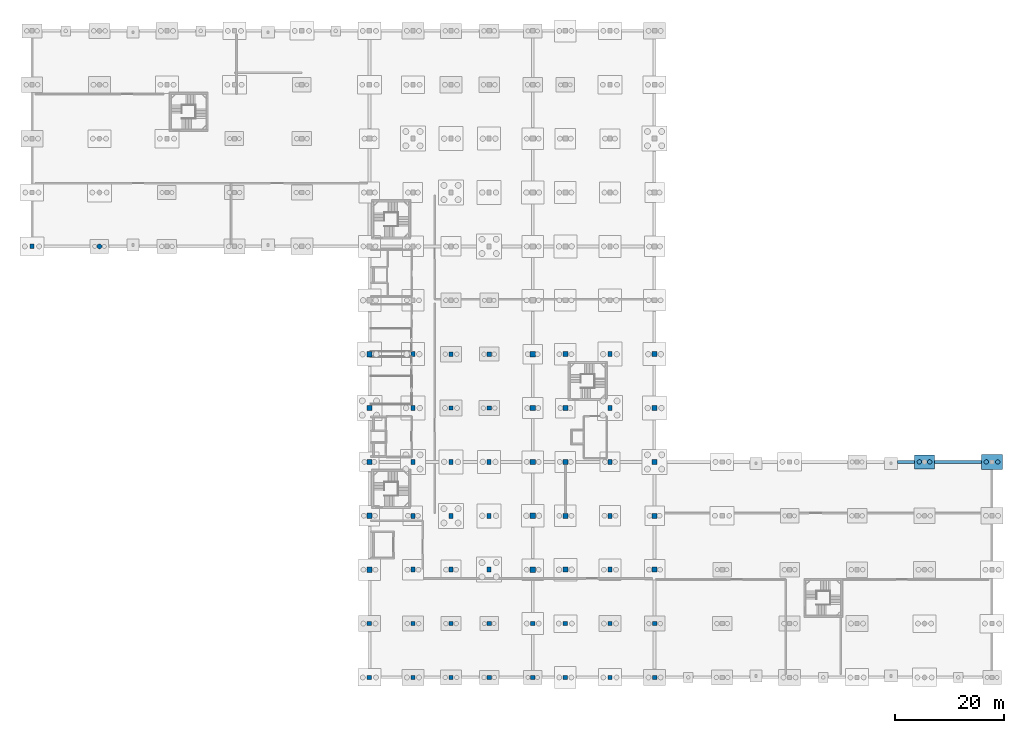
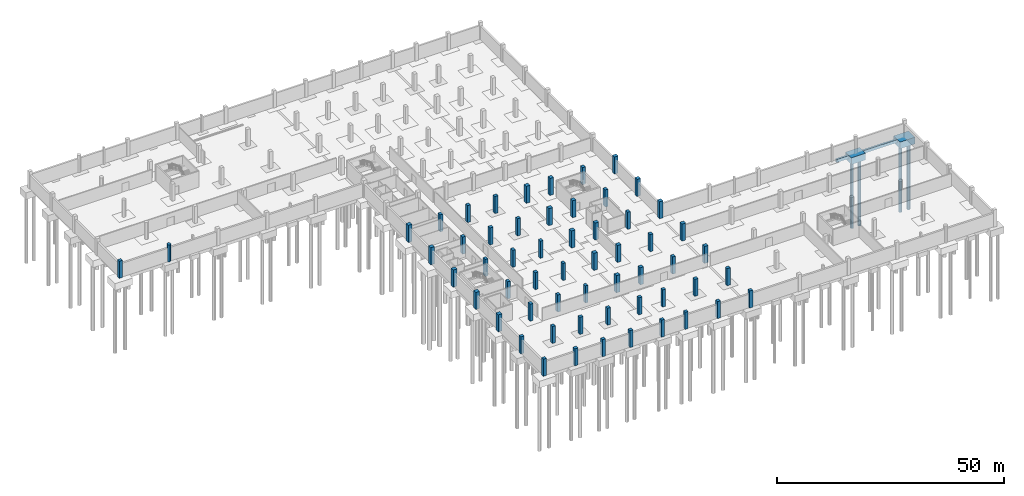
# One storey, part 6 of 30: 58 columns, 4 footings, 4 piles.
"""IFC4 building model written with IfcOpenShell, lengths in metres."""

import ifcopenshell
import ifcopenshell.guid

model = None  # the IFC model being written
_history = None  # IfcOwnerHistory: only IFC2X3 demands one
_inside = {}  # id of a spatial element -> (the spatial element, [elements in it])
_under = {}  # id of a project, library or spatial element -> (it, [spatial elements below it])
_declared = {}  # id of a project -> (the project, [libraries it declares])
_typed = {}  # id of a type object -> (the type object, [elements of that type])
_made_of = {}  # id of a material, layer set ... -> (it, [elements and type objects made of it])


def new_model(schema):
    """Start an empty IFC model of exactly this schema.

    Asked for "IFC4X3", IfcOpenShell would pick the latest addendum, in which some entities
    have other attributes; the version numbers below select the first issue.
    IFC2X3 requires an IfcOwnerHistory on every rooted entity: one is made here for all.
    """
    global model, _history
    if schema == "IFC4X3":
        model = ifcopenshell.file(schema_version=(4, 3, 0, 0))
    else:
        model = ifcopenshell.file(schema=schema)
    _inside.clear()
    _under.clear()
    _declared.clear()
    _typed.clear()
    _made_of.clear()
    _history = None
    if model.schema == "IFC2X3":
        org = make("IfcOrganization", Name="unknown")
        user = make(
            "IfcPersonAndOrganization",
            ThePerson=make("IfcPerson", FamilyName="unknown"),
            TheOrganization=org,
        )
        app = make(
            "IfcApplication",
            ApplicationDeveloper=org,
            Version="unknown",
            ApplicationFullName="unknown",
            ApplicationIdentifier="unknown",
        )
        _history = make(
            "IfcOwnerHistory",
            OwningUser=user,
            OwningApplication=app,
            ChangeAction="ADDED",
            CreationDate=0,
        )
    return model


def make(cls, **values):
    """One entity of the class cls with the attributes given. An attribute that is None is left unset."""
    return model.create_entity(
        cls, **{name: value for name, value in values.items() if value is not None}
    )


def rooted(cls, **values):
    """An entity with a GlobalId (a new one), such as an element, a storey or a relation."""
    return make(cls, GlobalId=ifcopenshell.guid.new(), OwnerHistory=_history, **values)


def si_unit(unit_type, name, prefix=None):
    """IfcSIUnit, for example si_unit("LENGTHUNIT", "METRE", prefix="MILLI")."""
    return make("IfcSIUnit", UnitType=unit_type, Prefix=prefix, Name=name)


def assignment(units):
    """IfcUnitAssignment: the units of a project."""
    return None if units is None else make("IfcUnitAssignment", Units=units)


def point(xyz):
    """IfcCartesianPoint."""
    return None if xyz is None else make("IfcCartesianPoint", Coordinates=xyz)


def direction(xyz):
    """IfcDirection."""
    return None if xyz is None else make("IfcDirection", DirectionRatios=xyz)


def frame(location, z_axis=None, x_axis=None):
    """IfcAxis2Placement3D, a coordinate frame: its origin and axes. An axis left out is left unset."""
    return make(
        "IfcAxis2Placement3D",
        Location=point(location),
        Axis=direction(z_axis),
        RefDirection=direction(x_axis),
    )


def frame_2d(location, x_axis=None):
    """IfcAxis2Placement2D, a coordinate frame in the plane: its origin and x axis."""
    return make(
        "IfcAxis2Placement2D", Location=point(location), RefDirection=direction(x_axis)
    )


def origin():
    """The frame at (0, 0, 0) with its axes left unset."""
    return frame((0.0, 0.0, 0.0))


def origin_2d():
    """The frame at (0, 0) in the plane with its x axis left unset."""
    return frame_2d((0.0, 0.0))


def place(relative_to, where):
    """IfcLocalPlacement: puts the frame where relative to a parent placement (None: the world)."""
    return make(
        "IfcLocalPlacement", PlacementRelTo=relative_to, RelativePlacement=where
    )


def context(
    kind, dimensions, precision=None, world=None, true_north=None, identifier=None
):
    """IfcGeometricRepresentationContext, for example the 3D "Model" context."""
    return make(
        "IfcGeometricRepresentationContext",
        ContextIdentifier=identifier,
        ContextType=kind,
        CoordinateSpaceDimension=dimensions,
        Precision=precision,
        WorldCoordinateSystem=world,
        TrueNorth=true_north,
    )


def subcontext(parent, identifier, kind, view, scale=None):
    """IfcGeometricRepresentationSubContext, for example "Body" below "Model"."""
    return make(
        "IfcGeometricRepresentationSubContext",
        ContextIdentifier=identifier,
        ContextType=kind,
        ParentContext=parent,
        TargetScale=scale,
        TargetView=view,
    )


def project(units=None, contexts=None):
    """IfcProject with its units and contexts."""
    return rooted(
        "IfcProject",
        Name="project",
        RepresentationContexts=contexts,
        UnitsInContext=assignment(units),
    )


def spatial(cls, under=None, at=None, **own):
    """A site, building, storey or space (cls), placed at a placement, below another one or the project."""
    s = rooted(cls, ObjectPlacement=at, **own)
    if under is not None:
        _under.setdefault(under.id(), (under, []))[1].append(s)
    return s


def profile(cls, at=None, kind="AREA", **sizes):
    """A parametric profile (cls). Its sizes go by their IFC names, for example OverallWidth=200.0."""
    return make(cls, ProfileType=kind, Position=at, **sizes)


def rectangle(**sizes):
    """IfcRectangleProfileDef."""
    return profile("IfcRectangleProfileDef", **sizes)


def circle(**sizes):
    """IfcCircleProfileDef."""
    return profile("IfcCircleProfileDef", **sizes)


def extrude(swept, where, along, depth):
    """IfcExtrudedAreaSolid: the profile swept, set in the frame where, extruded along a direction by depth."""
    return make(
        "IfcExtrudedAreaSolid",
        SweptArea=swept,
        Position=where,
        ExtrudedDirection=direction(along),
        Depth=depth,
    )


def shape(context_of_items, identifier, shape_type, items):
    """IfcShapeRepresentation: the items that make up one representation, for example the "Body"."""
    return make(
        "IfcShapeRepresentation",
        ContextOfItems=context_of_items,
        RepresentationIdentifier=identifier,
        RepresentationType=shape_type,
        Items=items,
    )


def material(Name=None, Category=None):
    """IfcMaterial."""
    return make("IfcMaterial", Name=Name, Category=Category)


def layer(
    of_material, thickness, ventilated=None, Name=None, Category=None, Priority=None
):
    """IfcMaterialLayer: one layer of a wall or slab, of a material (None: an air gap)."""
    return make(
        "IfcMaterialLayer",
        Material=of_material,
        LayerThickness=thickness,
        IsVentilated=ventilated,
        Name=Name,
        Category=Category,
        Priority=Priority,
    )


def layer_set(layers, Name=None):
    """IfcMaterialLayerSet."""
    return make("IfcMaterialLayerSet", MaterialLayers=layers, LayerSetName=Name)


def material_profile(
    of_material, cross_section, Name=None, Category=None, Priority=None
):
    """IfcMaterialProfile: a cross section and its material."""
    return make(
        "IfcMaterialProfile",
        Name=Name,
        Material=of_material,
        Profile=cross_section,
        Priority=Priority,
        Category=Category,
    )


def profile_set(profiles, Name=None, composite=None):
    """IfcMaterialProfileSet."""
    return make(
        "IfcMaterialProfileSet",
        Name=Name,
        MaterialProfiles=profiles,
        CompositeProfile=composite,
    )


def made_of(thing, what):
    """Note that an element or type object is made of a material, layer set ...; save() writes the relation."""
    if what is not None:
        _made_of.setdefault(what.id(), (what, []))[1].append(thing)
    return thing


def type_object(cls, material=None, **own):
    """A type object (cls), such as IfcWallType, which elements share."""
    return made_of(rooted(cls, **own), material)


def element(
    cls,
    number,
    at=None,
    inside=None,
    cuts=None,
    type_object=None,
    material=None,
    context=None,
    identifier="Body",
    shape_type=None,
    held_by="IfcProductDefinitionShape",
    body=None,
    shapes=None,
    **own,
):
    """One element of the class cls, such as IfcWall. Its Tag is "e" and its number.

    at: its placement. inside: the storey or other place that contains it. cuts: it is an
    opening in that element (IfcRelVoidsElement). A single representation is given by context,
    identifier, shape_type and body (its items); several are given by shapes. held_by: the class
    of the entity that holds the representations. save() writes the other relations.
    """
    e = rooted(cls, Tag="e%d" % number, ObjectPlacement=at, **own)
    if body is not None:
        shapes = [shape(context, identifier, shape_type, body)]
    if shapes is not None:
        e.Representation = make(held_by, Representations=shapes)
    if inside is not None:
        _inside.setdefault(inside.id(), (inside, []))[1].append(e)
    if cuts is not None:
        rooted(
            "IfcRelVoidsElement", RelatingBuildingElement=cuts, RelatedOpeningElement=e
        )
    if type_object is not None:
        _typed.setdefault(type_object.id(), (type_object, []))[1].append(e)
    return made_of(e, material)


def aggregate(whole, parts):
    """IfcRelAggregates: a whole, such as a stair, and the parts it consists of."""
    return rooted("IfcRelAggregates", RelatingObject=whole, RelatedObjects=parts)


def save(model, path):
    """Write the relations noted so far, then the file.

    IfcRelAggregates (storeys below a building ...), IfcRelContainedInSpatialStructure (elements
    in a storey), IfcRelDefinesByType, IfcRelAssociatesMaterial and IfcRelDeclares: one each for
    every whole, place, type object, material and project.
    """
    for whole, parts in _under.values():
        aggregate(whole, parts)
    for where, things in _inside.values():
        rooted(
            "IfcRelContainedInSpatialStructure",
            RelatedElements=things,
            RelatingStructure=where,
        )
    for kind, things in _typed.values():
        rooted("IfcRelDefinesByType", RelatedObjects=things, RelatingType=kind)
    for what, things in _made_of.values():
        rooted("IfcRelAssociatesMaterial", RelatedObjects=things, RelatingMaterial=what)
    for by, libraries in _declared.values():
        rooted("IfcRelDeclares", RelatingContext=by, RelatedDefinitions=libraries)
    model.write(path)


model = new_model("IFC4")

# Units and contexts
model_context = context("Model", 3, precision=1e-05, world=origin(), true_north=direction((0.0, 1.0)))
body_context = subcontext(model_context, "Body", "Model", "MODEL_VIEW")
ifc_project = project(units=[si_unit("LENGTHUNIT", "METRE"), si_unit("AREAUNIT", "SQUARE_METRE"), si_unit("VOLUMEUNIT", "CUBIC_METRE"), si_unit("PLANEANGLEUNIT", "RADIAN"), si_unit("MASSUNIT", "GRAM", prefix="KILO")], contexts=[model_context])

# Site, building, storey
site_placement = place(None, origin())
site = spatial("IfcSite", under=ifc_project, at=site_placement, CompositionType="ELEMENT")
building_placement = place(site_placement, origin())
building = spatial("IfcBuilding", under=site, at=building_placement, Name="Sillaruma Civic Art Gallery", CompositionType="ELEMENT")
storey_placement = place(building_placement, frame((0.0, 0.0, -9.179931640625)))
storey = spatial("IfcBuildingStorey", under=building, at=storey_placement, Name="B02", CompositionType="ELEMENT", Elevation=-9.179931640625)

# Footings
ifc_material_1 = material(Name="Concrete H35 (35 MPa)", Category="concrete")
ifc_material_profile_1 = material_profile(ifc_material_1, rectangle(XDim=0.5, YDim=0.800048828125, at=origin_2d()), Name="RCB500x800")
ifc_profile_set_1 = profile_set([ifc_material_profile_1], Name="Concrete H35 (35 MPa)")
footing_type_1 = type_object("IfcFootingType", Name="FTG-FB-500x800", PredefinedType="FOOTING_BEAM", material=ifc_profile_set_1)
footing_1_placement = place(storey_placement, frame((159.02001953125, 39.60009765625, -0.400146484375), z_axis=(1.0, 0.0, 0.0), x_axis=(0.0, 1.0, 0.0)))
element("IfcFooting", 1, at=footing_1_placement, inside=storey, type_object=footing_type_1, Name="Foundation Tie Beam FB-01 (5:R-S:B)", PredefinedType="FOOTING_BEAM", context=body_context, shape_type="SweptSolid", body=[
    extrude(rectangle(XDim=0.5, YDim=0.800048828125, at=origin_2d()), origin(), (0.0, 0.0, 1.0), 3.159912109375),
])
footing_2_placement = place(storey_placement, frame((165.820068359375, 39.60009765625, -0.400146484375), z_axis=(1.0, 0.0, 0.0), x_axis=(0.0, 1.0, 0.0)))
element("IfcFooting", 2, at=footing_2_placement, inside=storey, type_object=footing_type_1, Name="Foundation Tie Beam FB-01 (5:S-T:1)", PredefinedType="FOOTING_BEAM", context=body_context, shape_type="SweptSolid", body=[
    extrude(rectangle(XDim=0.5, YDim=0.800048828125, at=origin_2d()), origin(), (0.0, 0.0, 1.0), 8.659912109375),
])
ifc_layer_1 = layer(ifc_material_1, 1.800048828125, Name="Concrete H35 (35 MPa)")
ifc_layer_set_1 = layer_set([ifc_layer_1], Name="Concrete H35 (35 MPa)")
footing_type_2 = type_object("IfcFootingType", Name="FTG-PC-36x26", PredefinedType="PILE_CAP", material=ifc_layer_set_1)
footing_3_placement = place(storey_placement, frame((164.0, 39.60009765625, -1.80029296875), z_axis=(0.0, 0.0, 1.0), x_axis=(1.0, 0.0, 0.0)))
element("IfcFooting", 3, at=footing_3_placement, inside=storey, type_object=footing_type_2, Name="Pile Cap PC-11 (S5)", PredefinedType="PILE_CAP", context=body_context, shape_type="SweptSolid", body=[
    extrude(rectangle(XDim=3.60009765625, YDim=2.60009765625, at=origin_2d()), origin(), (0.0, 0.0, 1.0), 1.800048828125),
])
ifc_layer_2 = layer(ifc_material_1, 1.800048828125, Name="Concrete H35 (35 MPa)")
ifc_layer_set_2 = layer_set([ifc_layer_2], Name="Concrete H35 (35 MPa)")
footing_type_3 = type_object("IfcFootingType", Name="FTG-PC-38x28", PredefinedType="PILE_CAP", material=ifc_layer_set_2)
footing_4_placement = place(storey_placement, frame((176.39990234375, 39.60009765625, -1.80029296875), z_axis=(0.0, 0.0, 1.0), x_axis=(1.0, 0.0, 0.0)))
element("IfcFooting", 4, at=footing_4_placement, inside=storey, type_object=footing_type_3, Name="Pile Cap PC-10 (T5)", PredefinedType="PILE_CAP", context=body_context, shape_type="SweptSolid", body=[
    extrude(rectangle(XDim=3.800048828125, YDim=2.800048828125, at=origin_2d()), origin(), (0.0, 0.0, 1.0), 1.800048828125),
])

# Piles
ifc_material_profile_2 = material_profile(ifc_material_1, circle(Radius=0.409912109375, at=origin_2d()), Name="PILE820")
ifc_profile_set_2 = profile_set([ifc_material_profile_2], Name="Concrete H35 (35 MPa)")
pile_type = type_object("IfcPileType", Name="PIL-BORED-PILE820", PredefinedType="BORED", material=ifc_profile_set_2)
for number, where, z_axis, x_axis, name in (
    (5, (163.050048828125, 39.60009765625, -1.800048828125), (0.0, 0.0, -1.0), (1.0, 0.0, 0.0), "Bored Pile PL-B820 (S5-1)"),
    (6, (164.949951171875, 39.60009765625, -1.800048828125), (0.0, 0.0, -1.0), (1.0, 0.0, 0.0), "Bored Pile PL-B820 (S5-2)"),
    (7, (175.35009765625, 39.60009765625, -1.800048828125), (0.0, 0.0, -1.0), (1.0, 0.0, 0.0), "Bored Pile PL-B820 (T5-1)"),
    (8, (177.449951171875, 39.60009765625, -1.800048828125), (0.0, 0.0, -1.0), (1.0, 0.0, 0.0), "Bored Pile PL-B820 (T5-2)"),
):
    element("IfcPile", number, at=place(storey_placement, frame(where, z_axis=z_axis, x_axis=x_axis)), inside=storey, type_object=pile_type, Name=name, PredefinedType="BORED", context=body_context, shape_type="SweptSolid", body=[
        extrude(circle(Radius=0.409912109375, at=origin_2d()), origin(), (0.0, 0.0, 1.0), 18.0),
    ])

# Columns
ifc_material_2 = material(Name="Concrete H40 (40 MPa)", Category="concrete")
ifc_material_profile_3 = material_profile(ifc_material_2, rectangle(XDim=0.800048828125, YDim=0.800048828125, at=origin_2d()), Name="RC800x800")
ifc_profile_set_3 = profile_set([ifc_material_profile_3], Name="Concrete H40 (40 MPa)")
column_type_1 = type_object("IfcColumnType", Name="COL-COLUMN-RC800x800", PredefinedType="COLUMN", material=ifc_profile_set_3)
for number, where, z_axis, x_axis, name in (
    (9, (0.0, 79.199951171875, 0.0), (0.0, 0.0, 1.0), (1.0, 0.0, 0.0), "Column C-04 (B02:A9)"),
    (10, (62.0, 0.0, 0.0), (0.0, 0.0, 1.0), (1.0, 0.0, 0.0), "Column C-04 (B02:F1)"),
    (11, (62.0, 9.89990234375, 0.0), (0.0, 0.0, 1.0), (1.0, 0.0, 0.0), "Column C-04 (B02:F2)"),
    (12, (70.0, 0.0, 0.0), (0.0, 0.0, 1.0), (1.0, 0.0, 0.0), "Column C-04 (B02:G1)"),
    (13, (70.0, 9.89990234375, 0.0), (0.0, 0.0, 1.0), (1.0, 0.0, 0.0), "Column C-04 (B02:G2)"),
    (14, (77.0, 0.0, 0.0), (0.0, 0.0, 1.0), (1.0, 0.0, 0.0), "Column C-04 (B02:H1)"),
    (15, (77.0, 9.89990234375, 0.0), (0.0, 0.0, 1.0), (1.0, 0.0, 0.0), "Column C-04 (B02:H2)"),
    (16, (77.0, 49.5, 0.0), (0.0, 0.0, 1.0), (1.0, 0.0, 0.0), "Column C-04 (B02:H6)"),
    (17, (77.0, 59.39990234375, 0.0), (0.0, 0.0, 1.0), (1.0, 0.0, 0.0), "Column C-04 (B02:H7)"),
    (18, (84.0, 0.0, 0.0), (0.0, 0.0, 1.0), (1.0, 0.0, 0.0), "Column C-04 (B02:J1)"),
    (19, (84.0, 9.89990234375, 0.0), (0.0, 0.0, 1.0), (1.0, 0.0, 0.0), "Column C-04 (B02:J2)"),
    (20, (84.0, 49.5, 0.0), (0.0, 0.0, 1.0), (1.0, 0.0, 0.0), "Column C-04 (B02:J6)"),
    (21, (84.0, 59.39990234375, 0.0), (0.0, 0.0, 1.0), (1.0, 0.0, 0.0), "Column C-04 (B02:J7)"),
    (22, (92.0, 0.0, 0.0), (0.0, 0.0, 1.0), (1.0, 0.0, 0.0), "Column C-04 (B02:K1)"),
    (23, (92.0, 9.89990234375, 0.0), (0.0, 0.0, 1.0), (1.0, 0.0, 0.0), "Column C-04 (B02:K2)"),
    (24, (98.0, 0.0, 0.0), (0.0, 0.0, 1.0), (1.0, 0.0, 0.0), "Column C-04 (B02:L1)"),
    (25, (98.0, 9.89990234375, 0.0), (0.0, 0.0, 1.0), (1.0, 0.0, 0.0), "Column C-04 (B02:L2)"),
    (26, (106.199951171875, 0.0, 0.0), (0.0, 0.0, 1.0), (1.0, 0.0, 0.0), "Column C-04 (B02:M1)"),
    (27, (106.199951171875, 9.89990234375, 0.0), (0.0, 0.0, 1.0), (1.0, 0.0, 0.0), "Column C-04 (B02:M2)"),
    (28, (114.39990234375, 0.0, 0.0), (0.0, 0.0, 1.0), (1.0, 0.0, 0.0), "Column C-04 (B02:N1)"),
    (29, (114.39990234375, 9.89990234375, 0.0), (0.0, 0.0, 1.0), (1.0, 0.0, 0.0), "Column C-04 (B02:N2)"),
):
    element("IfcColumn", number, at=place(storey_placement, frame(where, z_axis=z_axis, x_axis=x_axis)), inside=storey, type_object=column_type_1, Name=name, PredefinedType="COLUMN", context=body_context, shape_type="SweptSolid", body=[
        extrude(rectangle(XDim=0.800048828125, YDim=0.800048828125, at=origin_2d()), origin(), (0.0, 0.0, 1.0), 4.58984375),
    ])
ifc_material_profile_4 = material_profile(ifc_material_2, rectangle(XDim=0.699951171875, YDim=0.89990234375, at=origin_2d()), Name="RC900x700")
ifc_profile_set_4 = profile_set([ifc_material_profile_4], Name="Concrete H40 (40 MPa)")
column_type_2 = type_object("IfcColumnType", Name="COL-COLUMN-RC900x700", PredefinedType="COLUMN", material=ifc_profile_set_4)
for number, where, z_axis, x_axis, name in (
    (30, (70.0, 19.800048828125, 0.0), (0.0, 0.0, 1.0), (1.0, 0.0, 0.0), "Column C-09 (B02:G3)"),
    (31, (70.0, 29.699951171875, 0.0), (0.0, 0.0, 1.0), (1.0, 0.0, 0.0), "Column C-09 (B02:G4)"),
    (32, (70.0, 39.60009765625, 0.0), (0.0, 0.0, 1.0), (1.0, 0.0, 0.0), "Column C-09 (B02:G5)"),
    (33, (70.0, 49.5, 0.0), (0.0, 0.0, 1.0), (1.0, 0.0, 0.0), "Column C-09 (B02:G6)"),
    (34, (70.0, 59.39990234375, 0.0), (0.0, 0.0, 1.0), (1.0, 0.0, 0.0), "Column C-09 (B02:G7)"),
    (35, (77.0, 19.800048828125, 0.0), (0.0, 0.0, 1.0), (1.0, 0.0, 0.0), "Column C-09 (B02:H3)"),
    (36, (77.0, 29.699951171875, 0.0), (0.0, 0.0, 1.0), (1.0, 0.0, 0.0), "Column C-09 (B02:H4)"),
    (37, (77.0, 39.60009765625, 0.0), (0.0, 0.0, 1.0), (1.0, 0.0, 0.0), "Column C-09 (B02:H5)"),
    (38, (84.0, 19.800048828125, 0.0), (0.0, 0.0, 1.0), (1.0, 0.0, 0.0), "Column C-09 (B02:J3)"),
    (39, (84.0, 29.699951171875, 0.0), (0.0, 0.0, 1.0), (1.0, 0.0, 0.0), "Column C-09 (B02:J4)"),
    (40, (84.0, 39.60009765625, 0.0), (0.0, 0.0, 1.0), (1.0, 0.0, 0.0), "Column C-09 (B02:J5)"),
    (41, (106.199951171875, 19.800048828125, 0.0), (0.0, 0.0, 1.0), (1.0, 0.0, 0.0), "Column C-09 (B02:M3)"),
    (42, (106.199951171875, 29.699951171875, 0.0), (0.0, 0.0, 1.0), (1.0, 0.0, 0.0), "Column C-09 (B02:M4)"),
    (43, (106.199951171875, 39.60009765625, 0.0), (0.0, 0.0, 1.0), (1.0, 0.0, 0.0), "Column C-09 (B02:M5)"),
    (44, (106.199951171875, 49.5, 0.0), (0.0, 0.0, 1.0), (1.0, 0.0, 0.0), "Column C-09 (B02:M6)"),
    (45, (106.199951171875, 59.39990234375, 0.0), (0.0, 0.0, 1.0), (1.0, 0.0, 0.0), "Column C-09 (B02:M7)"),
):
    element("IfcColumn", number, at=place(storey_placement, frame(where, z_axis=z_axis, x_axis=x_axis)), inside=storey, type_object=column_type_2, Name=name, PredefinedType="COLUMN", context=body_context, shape_type="SweptSolid", body=[
        extrude(rectangle(XDim=0.699951171875, YDim=0.89990234375, at=origin_2d()), origin(), (0.0, 0.0, 1.0), 4.58984375),
    ])
ifc_material_profile_5 = material_profile(ifc_material_2, rectangle(XDim=0.89990234375, YDim=0.89990234375, at=origin_2d()), Name="RC900x900")
ifc_profile_set_5 = profile_set([ifc_material_profile_5], Name="Concrete H40 (40 MPa)")
column_type_3 = type_object("IfcColumnType", Name="COL-COLUMN-RC900x900", PredefinedType="COLUMN", material=ifc_profile_set_5)
for number, where, z_axis, x_axis, name in (
    (46, (98.0, 19.800048828125, 0.0), (0.0, 0.0, 1.0), (1.0, 0.0, 0.0), "Column C-02 (B02:L3)"),
    (47, (98.0, 29.699951171875, 0.0), (0.0, 0.0, 1.0), (1.0, 0.0, 0.0), "Column C-02 (B02:L4)"),
    (48, (98.0, 39.60009765625, 0.0), (0.0, 0.0, 1.0), (1.0, 0.0, 0.0), "Column C-02 (B02:L5)"),
    (49, (98.0, 49.5, 0.0), (0.0, 0.0, 1.0), (1.0, 0.0, 0.0), "Column C-02 (B02:L6)"),
    (50, (98.0, 59.39990234375, 0.0), (0.0, 0.0, 1.0), (1.0, 0.0, 0.0), "Column C-02 (B02:L7)"),
    (51, (114.39990234375, 19.800048828125, 0.0), (0.0, 0.0, 1.0), (1.0, 0.0, 0.0), "Column C-02 (B02:N3)"),
    (52, (114.39990234375, 29.699951171875, 0.0), (0.0, 0.0, 1.0), (1.0, 0.0, 0.0), "Column C-02 (B02:N4)"),
    (53, (114.39990234375, 39.60009765625, 0.0), (0.0, 0.0, 1.0), (1.0, 0.0, 0.0), "Column C-02 (B02:N5)"),
    (54, (114.39990234375, 49.5, 0.0), (0.0, 0.0, 1.0), (1.0, 0.0, 0.0), "Column C-02 (B02:N6)"),
    (55, (114.39990234375, 59.39990234375, 0.0), (0.0, 0.0, 1.0), (1.0, 0.0, 0.0), "Column C-02 (B02:N7)"),
):
    element("IfcColumn", number, at=place(storey_placement, frame(where, z_axis=z_axis, x_axis=x_axis)), inside=storey, type_object=column_type_3, Name=name, PredefinedType="COLUMN", context=body_context, shape_type="SweptSolid", body=[
        extrude(rectangle(XDim=0.89990234375, YDim=0.89990234375, at=origin_2d()), origin(), (0.0, 0.0, 1.0), 4.58984375),
    ])
ifc_material_profile_6 = material_profile(ifc_material_2, rectangle(XDim=0.949951171875, YDim=0.949951171875, at=origin_2d()), Name="RC950x950")
ifc_profile_set_6 = profile_set([ifc_material_profile_6], Name="Concrete H40 (40 MPa)")
column_type_4 = type_object("IfcColumnType", Name="COL-COLUMN-RC950x950", PredefinedType="COLUMN", material=ifc_profile_set_6)
for number, where, z_axis, x_axis, name in (
    (56, (62.0, 19.800048828125, 0.0), (0.0, 0.0, 1.0), (1.0, 0.0, 0.0), "Column C-01 (B02:F3)"),
    (57, (62.0, 29.699951171875, 0.0), (0.0, 0.0, 1.0), (1.0, 0.0, 0.0), "Column C-01 (B02:F4)"),
    (58, (62.0, 39.60009765625, 0.0), (0.0, 0.0, 1.0), (1.0, 0.0, 0.0), "Column C-01 (B02:F5)"),
    (59, (62.0, 49.5, 0.0), (0.0, 0.0, 1.0), (1.0, 0.0, 0.0), "Column C-01 (B02:F6)"),
    (60, (62.0, 59.39990234375, 0.0), (0.0, 0.0, 1.0), (1.0, 0.0, 0.0), "Column C-01 (B02:F7)"),
    (61, (92.0, 19.800048828125, 0.0), (0.0, 0.0, 1.0), (1.0, 0.0, 0.0), "Column C-01 (B02:K3)"),
    (62, (92.0, 29.699951171875, 0.0), (0.0, 0.0, 1.0), (1.0, 0.0, 0.0), "Column C-01 (B02:K4)"),
    (63, (92.0, 39.60009765625, 0.0), (0.0, 0.0, 1.0), (1.0, 0.0, 0.0), "Column C-01 (B02:K5)"),
    (64, (92.0, 49.5, 0.0), (0.0, 0.0, 1.0), (1.0, 0.0, 0.0), "Column C-01 (B02:K6)"),
    (65, (92.0, 59.39990234375, 0.0), (0.0, 0.0, 1.0), (1.0, 0.0, 0.0), "Column C-01 (B02:K7)"),
):
    element("IfcColumn", number, at=place(storey_placement, frame(where, z_axis=z_axis, x_axis=x_axis)), inside=storey, type_object=column_type_4, Name=name, PredefinedType="COLUMN", context=body_context, shape_type="SweptSolid", body=[
        extrude(rectangle(XDim=0.949951171875, YDim=0.949951171875, at=origin_2d()), origin(), (0.0, 0.0, 1.0), 4.58984375),
    ])
ifc_material_profile_7 = material_profile(ifc_material_2, circle(Radius=0.43994140625, at=origin_2d()), Name="RCC880")
ifc_profile_set_7 = profile_set([ifc_material_profile_7], Name="Concrete H40 (40 MPa)")
column_type_5 = type_object("IfcColumnType", Name="COL-COLUMN-RCC880", PredefinedType="COLUMN", material=ifc_profile_set_7)
column_placement = place(storey_placement, frame((12.39990234375, 79.199951171875, 0.0), z_axis=(0.0, 0.0, 1.0), x_axis=(1.0, 0.0, 0.0)))
element("IfcColumn", 66, at=column_placement, inside=storey, type_object=column_type_5, Name="Column CC-01 (B02:B9)", PredefinedType="COLUMN", context=body_context, shape_type="SweptSolid", body=[
    extrude(circle(Radius=0.43994140625, at=origin_2d()), origin(), (0.0, 0.0, 1.0), 4.58984375),
])

save(model, "model.ifc")
